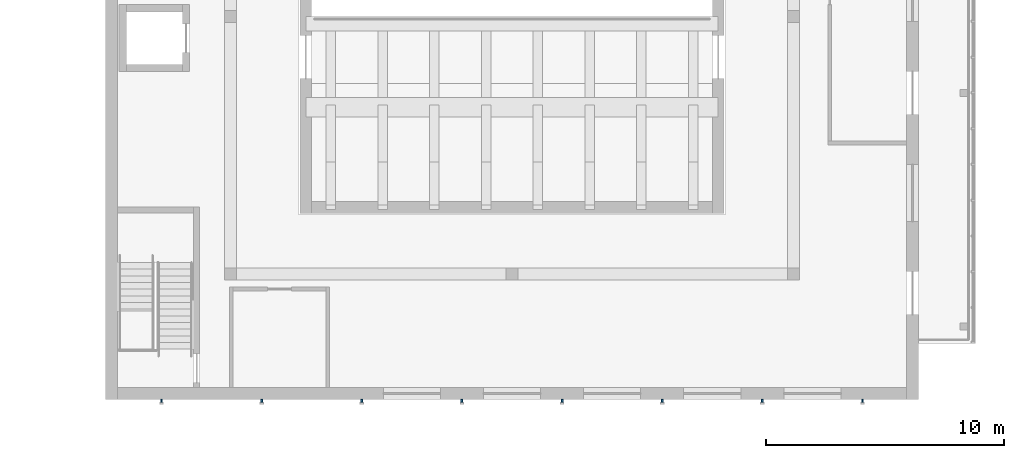
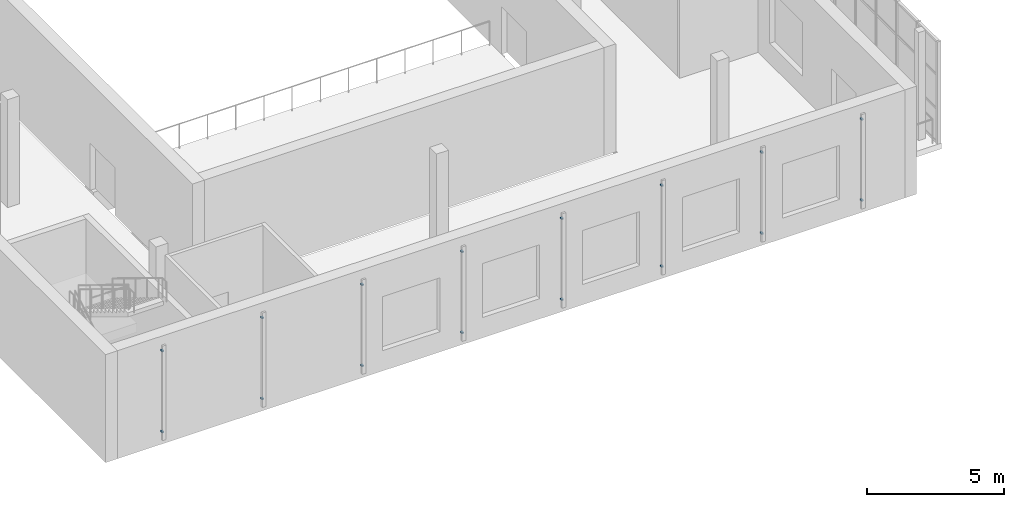
# One storey, part 88 of 127: 16 discrete accessories.
"""IFC4 building model written with IfcOpenShell, lengths in metres."""

from ifc_helpers import new_model, si_unit, direction, frame, origin, origin_2d, place, context, subcontext, project, spatial, rectangle, extrude, material, type_object, element, save


model = new_model("IFC4")

# Units and contexts
model_context = context("Model", 3, precision=1e-05, world=origin(), true_north=direction((0.0, 1.0)))
body_context = subcontext(model_context, "Body", "Model", "MODEL_VIEW")
ifc_project = project(units=[si_unit("LENGTHUNIT", "METRE"), si_unit("AREAUNIT", "SQUARE_METRE"), si_unit("VOLUMEUNIT", "CUBIC_METRE"), si_unit("PLANEANGLEUNIT", "RADIAN"), si_unit("MASSUNIT", "GRAM", prefix="KILO")], contexts=[model_context])

# Site, building, storey
site_placement = place(None, origin())
site = spatial("IfcSite", under=ifc_project, at=site_placement, CompositionType="ELEMENT")
building_placement = place(site_placement, origin())
building = spatial("IfcBuilding", under=site, at=building_placement, Name="Ljudholm Concert House", CompositionType="ELEMENT")
storey_placement = place(building_placement, frame((0.0, 0.0, 5.39990234375)))
storey = spatial("IfcBuildingStorey", under=building, at=storey_placement, Name="L01", CompositionType="ELEMENT", Elevation=5.39990234375)

# Discrete accessories
ifc_material = material(Name="Stainless steel bracket", Category="steel")
discrete_accessory_type = type_object("IfcDiscreteAccessoryType", Name="BRACKET 120", PredefinedType="BRACKET", material=ifc_material)
for number, where, z_axis, x_axis, name in (
    (1, (14.5, 3.68994140625, 0.570068359375), (0.0, 0.0, 1.0), (0.0, -1.0, 0.0), "Fin bracket"),
    (2, (14.5, 3.68994140625, 4.170166015625), (0.0, 0.0, 1.0), (0.0, -1.0, 0.0), "Fin bracket"),
    (3, (18.699951171875, 3.68994140625, 0.570068359375), (0.0, 0.0, 1.0), (0.0, -1.0, 0.0), "Fin bracket"),
    (4, (18.699951171875, 3.68994140625, 4.170166015625), (0.0, 0.0, 1.0), (0.0, -1.0, 0.0), "Fin bracket"),
    (5, (22.89990234375, 3.68994140625, 0.570068359375), (0.0, 0.0, 1.0), (0.0, -1.0, 0.0), "Fin bracket"),
    (6, (22.89990234375, 3.68994140625, 4.170166015625), (0.0, 0.0, 1.0), (0.0, -1.0, 0.0), "Fin bracket"),
    (7, (27.10009765625, 3.68994140625, 0.570068359375), (0.0, 0.0, 1.0), (0.0, -1.0, 0.0), "Fin bracket"),
    (8, (27.10009765625, 3.68994140625, 4.170166015625), (0.0, 0.0, 1.0), (0.0, -1.0, 0.0), "Fin bracket"),
    (9, (31.300048828125, 3.68994140625, 0.570068359375), (0.0, 0.0, 1.0), (0.0, -1.0, 0.0), "Fin bracket"),
    (10, (31.300048828125, 3.68994140625, 4.170166015625), (0.0, 0.0, 1.0), (0.0, -1.0, 0.0), "Fin bracket"),
    (11, (35.5, 3.68994140625, 0.570068359375), (0.0, 0.0, 1.0), (0.0, -1.0, 0.0), "Fin bracket"),
    (12, (35.5, 3.68994140625, 4.170166015625), (0.0, 0.0, 1.0), (0.0, -1.0, 0.0), "Fin bracket"),
    (13, (39.699951171875, 3.68994140625, 0.570068359375), (0.0, 0.0, 1.0), (0.0, -1.0, 0.0), "Fin bracket"),
    (14, (39.699951171875, 3.68994140625, 4.170166015625), (0.0, 0.0, 1.0), (0.0, -1.0, 0.0), "Fin bracket"),
    (15, (43.89990234375, 3.68994140625, 0.570068359375), (0.0, 0.0, 1.0), (0.0, -1.0, 0.0), "Fin bracket"),
    (16, (43.89990234375, 3.68994140625, 4.170166015625), (0.0, 0.0, 1.0), (0.0, -1.0, 0.0), "Fin bracket"),
):
    element("IfcDiscreteAccessory", number, at=place(storey_placement, frame(where, z_axis=z_axis, x_axis=x_axis)), inside=storey, type_object=discrete_accessory_type, Name=name, PredefinedType="BRACKET", context=body_context, shape_type="SweptSolid", body=[
        extrude(rectangle(XDim=0.1201171875, YDim=0.080078125, at=origin_2d()), origin(), (0.0, 0.0, 1.0), 0.06005859375),
    ])

save(model, "model.ifc")
